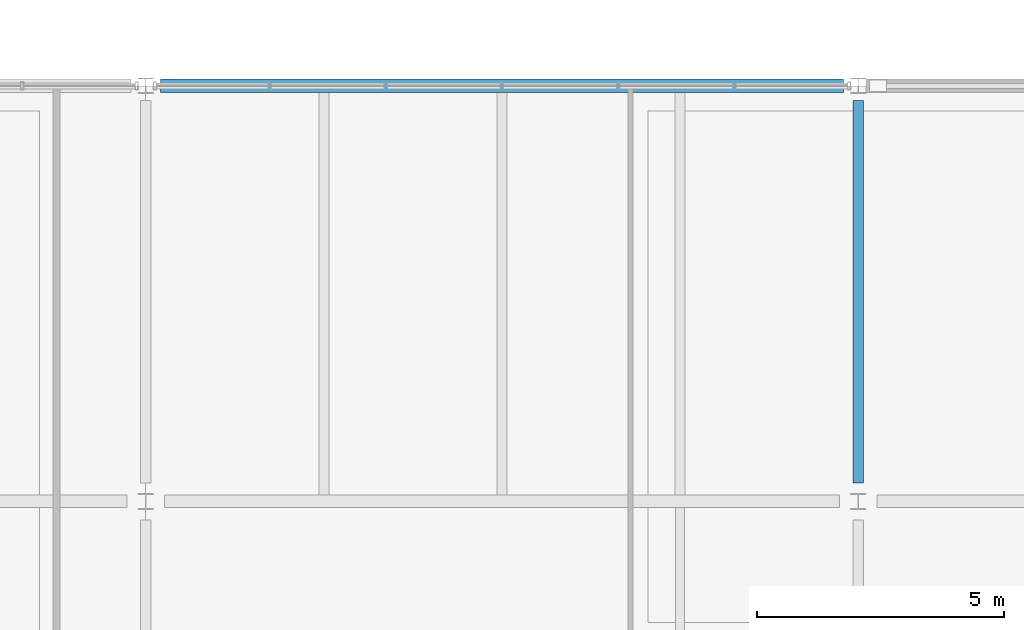
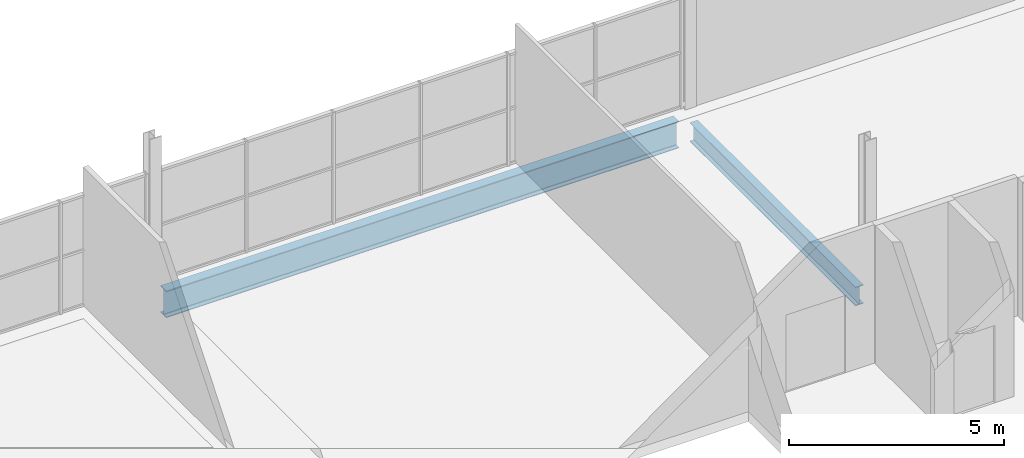
# One storey, part 87 of 161: 2 beams.
"""IFC4 building model written with IfcOpenShell, lengths in metres."""

from ifc_helpers import new_model, si_unit, direction, frame, origin, origin_2d, place, context, subcontext, project, spatial, i_section, extrude, material, material_profile, profile_set, type_object, element, save


model = new_model("IFC4")

# Units and contexts
model_context = context("Model", 3, precision=1e-05, world=origin(), true_north=direction((0.0, 1.0)))
body_context = subcontext(model_context, "Body", "Model", "MODEL_VIEW")
ifc_project = project(units=[si_unit("LENGTHUNIT", "METRE"), si_unit("AREAUNIT", "SQUARE_METRE"), si_unit("VOLUMEUNIT", "CUBIC_METRE"), si_unit("PLANEANGLEUNIT", "RADIAN"), si_unit("MASSUNIT", "GRAM", prefix="KILO"), si_unit("THERMODYNAMICTEMPERATUREUNIT", "KELVIN")], contexts=[model_context])

# Site, building, storey
site_placement = place(None, origin())
site = spatial("IfcSite", under=ifc_project, at=site_placement, CompositionType="ELEMENT")
building_placement = place(site_placement, origin())
building = spatial("IfcBuilding", under=site, at=building_placement, Name="Nduvali Passage Aquatics Centre", CompositionType="ELEMENT")
storey_placement = place(building_placement, frame((0.0, 0.0, 4.800048828125)))
storey = spatial("IfcBuildingStorey", under=building, at=storey_placement, Name="L01", CompositionType="ELEMENT", Elevation=4.800048828125)

# Beams
ifc_material = material(Name="Steel S355", Category="steel")
ifc_material_profile_1 = material_profile(ifc_material, i_section(OverallWidth=0.210693359375, OverallDepth=0.53955078125, WebThickness=0.01171875, FlangeThickness=0.018798828125, FilletRadius=0.0126953125, at=origin_2d()), Name="UKB 533x210x109")
ifc_profile_set_1 = profile_set([ifc_material_profile_1], Name="Steel S355")
beam_type_1 = type_object("IfcBeamType", Name="STR-BM-UKB533", PredefinedType="BEAM", material=ifc_profile_set_1)
beam_1_placement = place(storey_placement, frame((111.60009765625, 109.574951171875, -0.553955078125), z_axis=(0.0, 1.0, 0.0), x_axis=(-1.0, 0.0, 0.0)))
element("IfcBeam", 1, at=beam_1_placement, inside=storey, type_object=beam_type_1, Name="L01 Primary Y-Girder B6-0621", PredefinedType="BEAM", context=body_context, shape_type="SweptSolid", body=[
    extrude(i_section(OverallWidth=0.210693359375, OverallDepth=0.53955078125, WebThickness=0.01171875, FlangeThickness=0.018798828125, FilletRadius=0.0126953125, at=origin_2d()), origin(), (0.0, 0.0, 1.0), 7.72509765625),
])
ifc_material_profile_2 = material_profile(ifc_material, i_section(OverallWidth=0.2666015625, OverallDepth=0.76220703125, WebThickness=0.014404296875, FlangeThickness=0.021484375, FilletRadius=0.0166015625, at=origin_2d()), Name="UKB 762x267x173")
ifc_profile_set_2 = profile_set([ifc_material_profile_2], Name="Steel S355")
beam_type_2 = type_object("IfcBeamType", Name="STR-BM-UKB762-EXT", PredefinedType="BEAM", material=ifc_profile_set_2)
beam_2_placement = place(storey_placement, frame((97.5, 117.60009765625, -0.6650390625), z_axis=(1.0, 0.0, 0.0), x_axis=(0.0, 1.0, 0.0)))
element("IfcBeam", 2, at=beam_2_placement, inside=storey, type_object=beam_type_2, Name="L01 Primary X-Girder B4CE-0555", PredefinedType="BEAM", context=body_context, shape_type="SweptSolid", body=[
    extrude(i_section(OverallWidth=0.2666015625, OverallDepth=0.76220703125, WebThickness=0.014404296875, FlangeThickness=0.021484375, FilletRadius=0.0166015625, at=origin_2d()), origin(), (0.0, 0.0, 1.0), 13.800048828125),
])

save(model, "model.ifc")
